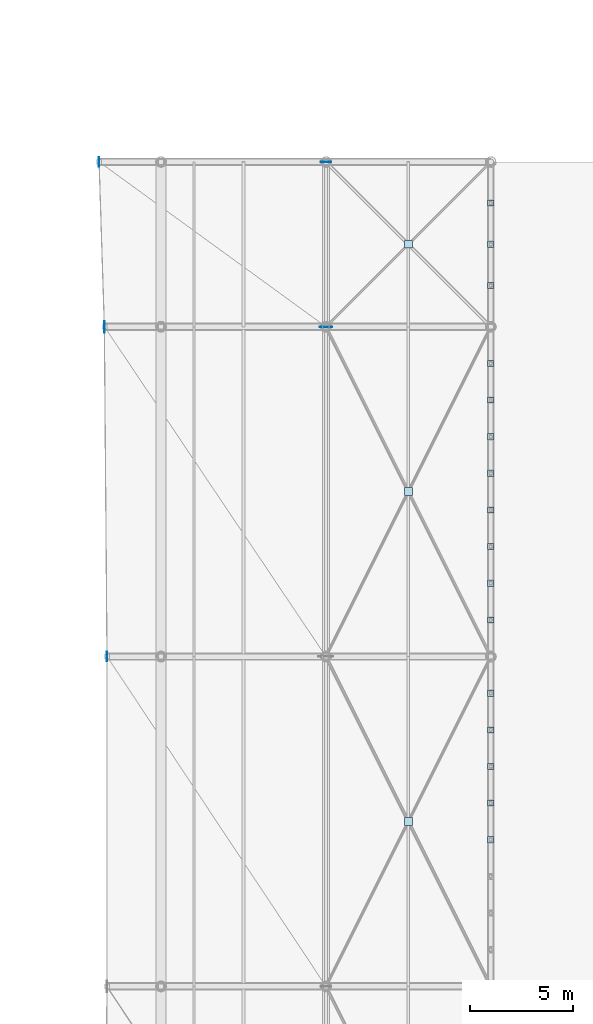
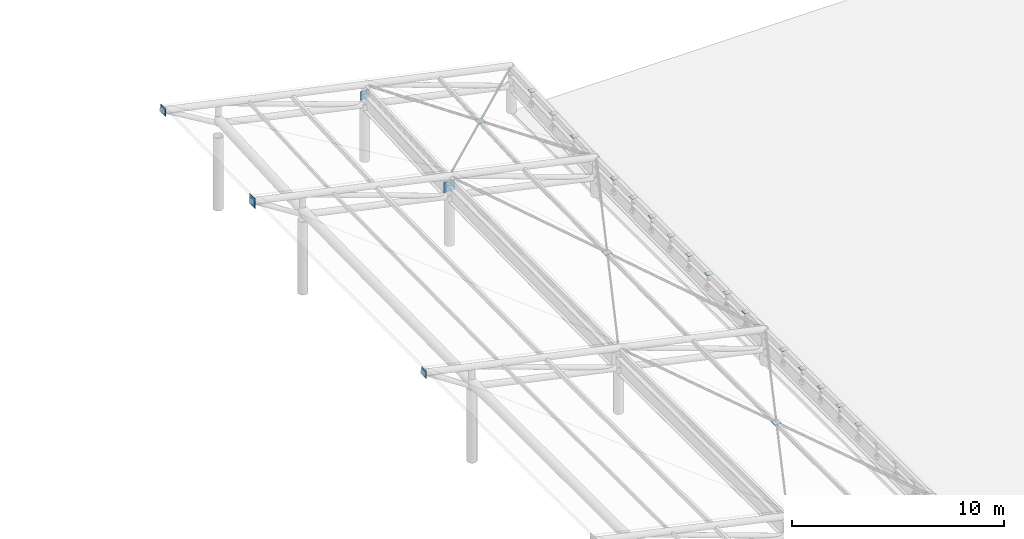
# One storey, part 40 of 54: 24 plates.
"""IFC4 building model written with IfcOpenShell, lengths in metres."""

from ifc_helpers import new_model, si_unit, direction, frame, origin, origin_2d, place, context, subcontext, project, spatial, rectangle, extrude, material, layer, layer_set, type_object, element, save


model = new_model("IFC4")

# Units and contexts
model_context = context("Model", 3, precision=1e-05, world=origin(), true_north=direction((0.0, 1.0)))
body_context = subcontext(model_context, "Body", "Model", "MODEL_VIEW")
ifc_project = project(units=[si_unit("LENGTHUNIT", "METRE"), si_unit("AREAUNIT", "SQUARE_METRE"), si_unit("VOLUMEUNIT", "CUBIC_METRE"), si_unit("PLANEANGLEUNIT", "RADIAN"), si_unit("MASSUNIT", "GRAM", prefix="KILO")], contexts=[model_context])

# Site, building, storey
site_placement = place(None, origin())
site = spatial("IfcSite", under=ifc_project, at=site_placement, CompositionType="ELEMENT")
building_placement = place(site_placement, origin())
building = spatial("IfcBuilding", under=site, at=building_placement, Name="Haebicheon Civic Stadium", CompositionType="ELEMENT")
storey_placement = place(building_placement, frame((0.0, 0.0, 22.800048828125)))
storey = spatial("IfcBuildingStorey", under=building, at=storey_placement, Name="L06", CompositionType="ELEMENT", Elevation=22.800048828125)

# Plates
ifc_material_1 = material(Name="White painted steel SM490", Category="steel")
ifc_layer_1 = layer(ifc_material_1, 0.013916015625, Name="White painted steel SM490")
ifc_layer_set_1 = layer_set([ifc_layer_1], Name="White painted steel SM490")
plate_type_1 = type_object("IfcPlateType", Name="PLT-CAP-14", PredefinedType="SHEET", material=ifc_layer_set_1)
for number, where, z_axis, x_axis, name in (
    (1, (208.0, 95.111083984375, 1.87109375), (0.0, 0.0, 1.0), (1.0, 0.0, 0.0), "CAN-COMM hanger clevis cap plate 3.4"),
    (2, (208.0, 96.888916015625, 1.87109375), (0.0, 0.0, 1.0), (1.0, 0.0, 0.0), "CAN-COMM hanger clevis cap plate 3.5"),
    (3, (208.0, 98.6669921875, 1.87109375), (0.0, 0.0, 1.0), (1.0, 0.0, 0.0), "CAN-COMM hanger clevis cap plate 3.6"),
    (4, (208.0, 100.444091796875, 1.87109375), (0.0, 0.0, 1.0), (1.0, 0.0, 0.0), "CAN-COMM hanger clevis cap plate 3.7"),
    (5, (208.0, 102.221923828125, 1.87109375), (0.0, 0.0, 1.0), (1.0, 0.0, 0.0), "CAN-COMM hanger clevis cap plate 3.8"),
    (6, (208.0, 105.778076171875, 1.89501953125), (0.0, 0.0, 1.0), (1.0, 0.0, 0.0), "CAN-COMM hanger clevis cap plate 4.1"),
    (7, (208.0, 107.555908203125, 1.91796875), (0.0, 0.0, 1.0), (1.0, 0.0, 0.0), "CAN-COMM hanger clevis cap plate 4.2"),
    (8, (208.0, 109.3330078125, 1.94189453125), (0.0, 0.0, 1.0), (1.0, 0.0, 0.0), "CAN-COMM hanger clevis cap plate 4.3"),
    (9, (208.0, 111.111083984375, 1.96484375), (0.0, 0.0, 1.0), (1.0, 0.0, 0.0), "CAN-COMM hanger clevis cap plate 4.4"),
    (10, (208.0, 112.888916015625, 1.98876953125), (0.0, 0.0, 1.0), (1.0, 0.0, 0.0), "CAN-COMM hanger clevis cap plate 4.5"),
    (11, (208.0, 114.6669921875, 2.01220703125), (0.0, 0.0, 1.0), (1.0, 0.0, 0.0), "CAN-COMM hanger clevis cap plate 4.6"),
    (12, (208.0, 116.444091796875, 2.0361328125), (0.0, 0.0, 1.0), (1.0, 0.0, 0.0), "CAN-COMM hanger clevis cap plate 4.7"),
    (13, (208.0, 118.221923828125, 2.05908203125), (0.0, 0.0, 1.0), (1.0, 0.0, 0.0), "CAN-COMM hanger clevis cap plate 4.8"),
    (14, (208.0, 122.0, 2.18896484375), (0.0, 0.0, 1.0), (1.0, 0.0, 0.0), "CAN-COMM hanger clevis cap plate 5.1"),
    (15, (208.0, 124.0, 2.2939453125), (0.0, 0.0, 1.0), (1.0, 0.0, 0.0), "CAN-COMM hanger clevis cap plate 5.2"),
    (16, (208.0, 126.0, 2.39892578125), (0.0, 0.0, 1.0), (1.0, 0.0, 0.0), "CAN-COMM hanger clevis cap plate 5.3"),
):
    element("IfcPlate", number, at=place(storey_placement, frame(where, z_axis=z_axis, x_axis=x_axis)), inside=storey, type_object=plate_type_1, material=ifc_layer_set_1, Name=name, PredefinedType="SHEET", context=body_context, shape_type="SweptSolid", body=[
        extrude(rectangle(XDim=0.300048828125, YDim=0.300048828125, at=origin_2d()), origin(), (0.0, 0.0, 1.0), 0.013916015625),
    ])
ifc_material_2 = material(Name="White painted steel SM490", Category="steel")
ifc_layer_2 = layer(ifc_material_2, 0.02001953125, Name="White painted steel SM490")
ifc_layer_set_2 = layer_set([ifc_layer_2], Name="White painted steel SM490")
plate_type_2 = type_object("IfcPlateType", Name="PLT-CAP-20", PredefinedType="SHEET", material=ifc_layer_set_2)
for number, where, z_axis, x_axis, name in (
    (17, (189.384033203125, 104.0, 5.75), (0.0, 0.0, 1.0), (0.0, 1.0, 0.0), "CAN-COMM tip end-cap plate 4"),
    (18, (189.0, 128.0, 6.467041015625), (0.0, 0.0, 1.0), (0.0, 1.0, 0.0), "CAN-COMM tip end-cap plate 6"),
):
    element("IfcPlate", number, at=place(storey_placement, frame(where, z_axis=z_axis, x_axis=x_axis)), inside=storey, type_object=plate_type_2, material=ifc_layer_set_2, Name=name, PredefinedType="SHEET", context=body_context, shape_type="SweptSolid", body=[
        extrude(rectangle(XDim=0.4599609375, YDim=0.02001953125, at=origin_2d()), origin(), (0.0, 0.0, 1.0), 0.4599609375),
    ])
ifc_material_3 = material(Name="White painted steel SM490", Category="steel")
ifc_layer_3 = layer(ifc_material_3, 0.02587890625, Name="White painted steel SM490")
ifc_layer_set_3 = layer_set([ifc_layer_3], Name="White painted steel SM490")
plate_type_3 = type_object("IfcPlateType", Name="PLT-CAP-26", PredefinedType="SHEET", material=ifc_layer_set_3)
plate_1_placement = place(storey_placement, frame((189.256103515625, 120.0, 5.93994140625), z_axis=(0.0, 0.0, 1.0), x_axis=(0.0, 1.0, 0.0)))
element("IfcPlate", 19, at=plate_1_placement, inside=storey, type_object=plate_type_3, material=ifc_layer_set_3, Name="CAN-COMM tip end-cap plate 5", PredefinedType="SHEET", context=body_context, shape_type="SweptSolid", body=[
    extrude(rectangle(XDim=0.56005859375, YDim=0.02587890625, at=origin_2d()), origin(), (0.0, 0.0, 1.0), 0.56005859375),
])
ifc_material_4 = material(Name="White painted steel SM490", Category="steel")
ifc_layer_4 = layer(ifc_material_4, 0.01806640625, Name="White painted steel SM490")
ifc_layer_set_4 = layer_set([ifc_layer_4], Name="White painted steel SM490")
plate_type_4 = type_object("IfcPlateType", Name="PLT-GUS-18", PredefinedType="USERDEFINED", material=ifc_layer_set_4)
plate_2_placement = place(storey_placement, frame((200.0, 128.0, 3.5068359375), z_axis=(0.0, 0.0, 1.0), x_axis=(1.0, 0.0, 0.0)))
element("IfcPlate", 20, at=plate_2_placement, inside=storey, type_object=plate_type_4, material=ifc_layer_set_4, Name="CAN-COMM heel node gusset plate KN-M06", ObjectType="GUSSET PLATE", PredefinedType="USERDEFINED", context=body_context, shape_type="SweptSolid", body=[
    extrude(rectangle(XDim=0.5, YDim=0.01806640625, at=origin_2d()), origin(), (0.0, 0.0, 1.0), 0.5),
])
ifc_material_5 = material(Name="White painted steel SM490", Category="steel")
ifc_layer_5 = layer(ifc_material_5, 0.02392578125, Name="White painted steel SM490")
ifc_layer_set_5 = layer_set([ifc_layer_5], Name="White painted steel SM490")
plate_type_5 = type_object("IfcPlateType", Name="PLT-GUS-24", PredefinedType="USERDEFINED", material=ifc_layer_set_5)
plate_3_placement = place(storey_placement, frame((200.0, 120.0, 3.034912109375), z_axis=(0.0, 0.0, 1.0), x_axis=(1.0, 0.0, 0.0)))
element("IfcPlate", 21, at=plate_3_placement, inside=storey, type_object=plate_type_5, material=ifc_layer_set_5, Name="CAN-COMM heel node gusset plate KN-M05", ObjectType="GUSSET PLATE", PredefinedType="USERDEFINED", context=body_context, shape_type="SweptSolid", body=[
    extrude(rectangle(XDim=0.60009765625, YDim=0.02392578125, at=origin_2d()), origin(), (0.0, 0.0, 1.0), 0.60009765625),
])
ifc_material_6 = material(Name="White painted steel SM490", Category="steel")
ifc_layer_6 = layer(ifc_material_6, 0.013916015625, Name="White painted steel SM490")
ifc_layer_set_6 = layer_set([ifc_layer_6], Name="White painted steel SM490")
plate_type_6 = type_object("IfcPlateType", Name="PLT-XND-14", PredefinedType="SHEET", material=ifc_layer_set_6)
for number, where, z_axis, x_axis, name in (
    (22, (204.0, 96.0, 2.8310546875), (0.0, 0.0, 1.0), (1.0, 0.0, 0.0), "CAN-COMM X-brace crossing gusset plate 3"),
    (23, (204.0, 112.0, 2.93701171875), (0.0, 0.0, 1.0), (1.0, 0.0, 0.0), "CAN-COMM X-brace crossing gusset plate 4"),
    (24, (204.0, 124.0, 3.25390625), (0.0, 0.0, 1.0), (1.0, 0.0, 0.0), "CAN-COMM X-brace crossing gusset plate 5"),
):
    element("IfcPlate", number, at=place(storey_placement, frame(where, z_axis=z_axis, x_axis=x_axis)), inside=storey, type_object=plate_type_6, material=ifc_layer_set_6, Name=name, PredefinedType="SHEET", context=body_context, shape_type="SweptSolid", body=[
        extrude(rectangle(XDim=0.3798828125, YDim=0.3798828125, at=origin_2d()), origin(), (0.0, 0.0, 1.0), 0.013916015625),
    ])

save(model, "model.ifc")
